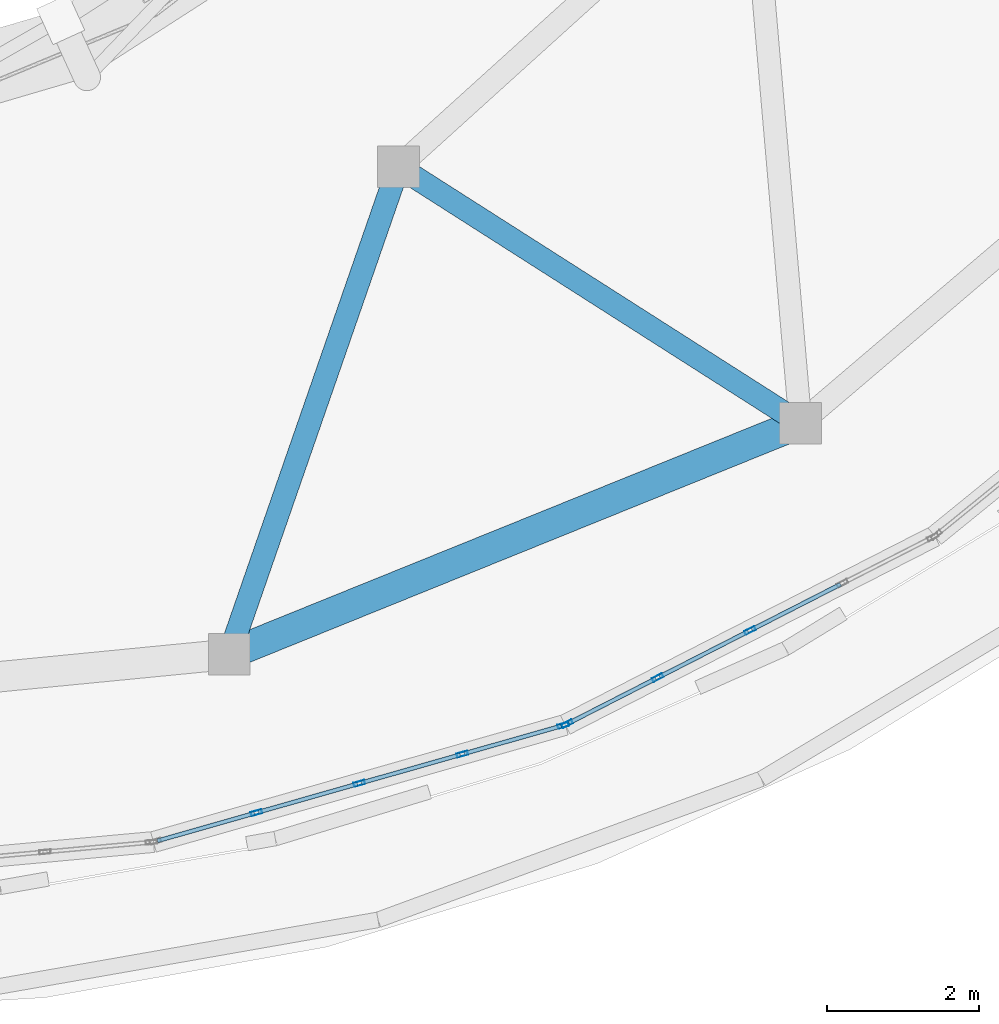
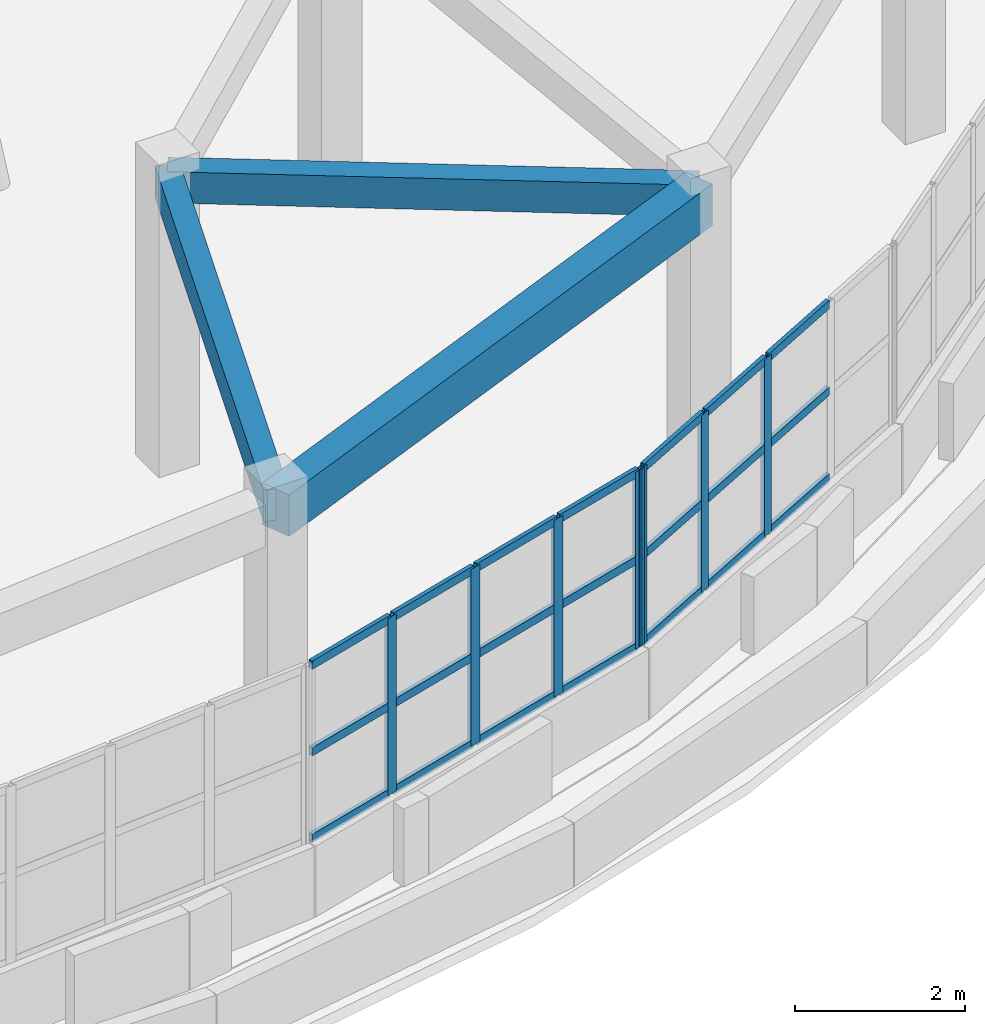
# One storey, part 8 of 46: 28 members, 3 beams, 2 elements without a shape of their own.
"""IFC4 building model written with IfcOpenShell, lengths in metres."""

from ifc_helpers import new_model, si_unit, direction, frame, origin, origin_2d, place, context, subcontext, project, spatial, rectangle, hollow_rectangle, extrude, material, layer, layer_set, material_profile, profile_set, type_object, element, aggregate, save


model = new_model("IFC4")

# Units and contexts
model_context = context("Model", 3, precision=1e-05, world=origin(), true_north=direction((0.0, 1.0)))
body_context = subcontext(model_context, "Body", "Model", "MODEL_VIEW")
ifc_project = project(units=[si_unit("LENGTHUNIT", "METRE"), si_unit("AREAUNIT", "SQUARE_METRE"), si_unit("VOLUMEUNIT", "CUBIC_METRE"), si_unit("PLANEANGLEUNIT", "RADIAN"), si_unit("MASSUNIT", "GRAM", prefix="KILO")], contexts=[model_context])

# Site, building, storey
site_placement = place(None, origin())
site = spatial("IfcSite", under=ifc_project, at=site_placement, CompositionType="ELEMENT")
building_placement = place(site_placement, origin())
building = spatial("IfcBuilding", under=site, at=building_placement, Name="Pelvatis Terrace Science Centre", CompositionType="ELEMENT")
storey_placement = place(building_placement, frame((0.0, 0.0, 19.800048828125)))
storey = spatial("IfcBuildingStorey", under=building, at=storey_placement, Name="L04", CompositionType="ELEMENT", Elevation=19.800048828125)

# Beams
ifc_material_1 = material(Name="Concrete C35/45", Category="concrete")
ifc_material_profile_1 = material_profile(ifc_material_1, rectangle(XDim=0.300048828125, YDim=0.449951171875, at=origin_2d()), Name="RC-BM 300x450")
ifc_profile_set_1 = profile_set([ifc_material_profile_1], Name="Concrete C35/45")
beam_type_1 = type_object("IfcBeamType", Name="BM-RC-300x450", PredefinedType="BEAM", material=ifc_profile_set_1)
beam_1_placement = place(storey_placement, frame((116.3046875, 66.743408203125, 4.02490234375), z_axis=(0.328071814406, 0.944652785203, 0.0), x_axis=(-0.944652785203, 0.328071814406, 0.0)))
element("IfcBeam", 1, at=beam_1_placement, inside=storey, type_object=beam_type_1, Name="Beam BM-L04-3098", PredefinedType="BEAM", context=body_context, shape_type="SweptSolid", body=[
    extrude(rectangle(XDim=0.300048828125, YDim=0.449951171875, at=origin_2d()), origin(), (0.0, 0.0, 1.0), 6.794189453125),
])
beam_2_placement = place(storey_placement, frame((123.82421875, 69.786376953125, 4.02490234375), z_axis=(-0.843044192258, 0.537844298937, 0.0), x_axis=(-0.537844298937, -0.843044192258, 0.0)))
element("IfcBeam", 2, at=beam_2_placement, inside=storey, type_object=beam_type_1, Name="Beam BM-L04-3100", PredefinedType="BEAM", context=body_context, shape_type="SweptSolid", body=[
    extrude(rectangle(XDim=0.300048828125, YDim=0.449951171875, at=origin_2d()), origin(), (0.0, 0.0, 1.0), 6.275390625),
])
ifc_material_2 = material(Name="Concrete C35/45", Category="concrete")
ifc_material_profile_2 = material_profile(ifc_material_2, rectangle(XDim=0.39990234375, YDim=0.60009765625, at=origin_2d()), Name="RC-BM 400x600")
ifc_profile_set_2 = profile_set([ifc_material_profile_2], Name="Concrete C35/45")
beam_type_2 = type_object("IfcBeamType", Name="BM-RC-400x600", PredefinedType="BEAM", material=ifc_profile_set_2)
beam_3_placement = place(storey_placement, frame((116.3046875, 66.743408203125, 3.949951171875), z_axis=(0.926974722929, 0.375123796967, 0.0), x_axis=(-0.375123796967, 0.926974722929, 0.0)))
element("IfcBeam", 3, at=beam_3_placement, inside=storey, type_object=beam_type_2, Name="Beam BM-L04-3097", PredefinedType="BEAM", context=body_context, shape_type="SweptSolid", body=[
    extrude(rectangle(XDim=0.39990234375, YDim=0.60009765625, at=origin_2d()), origin(), (0.0, 0.0, 1.0), 8.11181640625),
])

# Curtain wall, members
ifc_material_3 = material(Name="Bronze-anodised aluminium and laminated glass", Category="aluminium")
ifc_layer = layer(ifc_material_3, 0.14990234375)
ifc_layer_set = layer_set([ifc_layer], Name="Bronze-anodised aluminium and laminated glass")
curtain_wall_type = type_object("IfcCurtainWallType", Name="CW-PASSAGE-C", PredefinedType="NOTDEFINED", material=ifc_layer_set)
curtain_wall_1_placement = place(storey_placement, origin())
curtain_wall_1 = element("IfcCurtainWall", 4, at=curtain_wall_1_placement, inside=storey, type_object=curtain_wall_type, Name="Ribbon curtain wall CW-233 (L04)", PredefinedType="NOTDEFINED")
ifc_material_4 = material(Name="Bronze-anodised aluminium 6063-T6", Category="aluminium")
ifc_material_profile_3 = material_profile(ifc_material_4, hollow_rectangle(XDim=0.054931640625, YDim=0.14990234375, WallThickness=0.00390625, at=origin_2d()), Name="ALU-MUL 55x150")
ifc_profile_set_3 = profile_set([ifc_material_profile_3], Name="Bronze-anodised aluminium 6063-T6")
member_type_1 = type_object("IfcMemberType", Name="CWM-55x150", PredefinedType="MULLION", material=ifc_profile_set_3)
member_1_placement = place(storey_placement, frame((116.6630859375, 64.658203125, 1.02001953125), z_axis=(0.0, 0.0, 1.0), x_axis=(-0.273577429116, 0.96184998325, 0.0)))
member_1 = element("IfcMember", 5, at=member_1_placement, type_object=member_type_1, Name="CW-233 mullion 2", PredefinedType="MULLION", context=body_context, shape_type="SweptSolid", body=[
    extrude(hollow_rectangle(XDim=0.054931640625, YDim=0.14990234375, WallThickness=0.00390625, at=origin_2d()), origin(), (0.0, 0.0, 1.0), 2.550048828125),
])
member_2_placement = place(storey_placement, frame((118.018310546875, 65.043701171875, 1.02001953125), z_axis=(0.0, 0.0, 1.0), x_axis=(-0.273577429116, 0.96184998325, 0.0)))
member_2 = element("IfcMember", 6, at=member_2_placement, type_object=member_type_1, Name="CW-233 mullion 3", PredefinedType="MULLION", context=body_context, shape_type="SweptSolid", body=[
    extrude(hollow_rectangle(XDim=0.054931640625, YDim=0.14990234375, WallThickness=0.00390625, at=origin_2d()), origin(), (0.0, 0.0, 1.0), 2.550048828125),
])
member_3_placement = place(storey_placement, frame((119.373779296875, 65.42919921875, 1.02001953125), z_axis=(0.0, 0.0, 1.0), x_axis=(-0.273577429116, 0.96184998325, 0.0)))
member_3 = element("IfcMember", 7, at=member_3_placement, type_object=member_type_1, Name="CW-233 mullion 4", PredefinedType="MULLION", context=body_context, shape_type="SweptSolid", body=[
    extrude(hollow_rectangle(XDim=0.054931640625, YDim=0.14990234375, WallThickness=0.00390625, at=origin_2d()), origin(), (0.0, 0.0, 1.0), 2.550048828125),
])
member_4_placement = place(storey_placement, frame((120.70263671875, 65.807373046875, 1.02001953125), z_axis=(0.0, 0.0, 1.0), x_axis=(-0.273577429116, 0.96184998325, 0.0)))
member_4 = element("IfcMember", 8, at=member_4_placement, type_object=member_type_1, Name="CW-233 mullion 5", PredefinedType="MULLION", context=body_context, shape_type="SweptSolid", body=[
    extrude(hollow_rectangle(XDim=0.054931640625, YDim=0.14990234375, WallThickness=0.00390625, at=origin_2d()), origin(), (0.0, 0.0, 1.0), 2.550048828125),
])

curtain_wall_2_placement = place(storey_placement, origin())
curtain_wall_2 = element("IfcCurtainWall", 9, at=curtain_wall_2_placement, inside=storey, type_object=curtain_wall_type, Name="Ribbon curtain wall CW-234 (L04)", PredefinedType="NOTDEFINED")
member_5_placement = place(storey_placement, frame((120.753662109375, 65.827392578125, 1.02001953125), z_axis=(0.0, 0.0, 1.0), x_axis=(-0.454858737992, 0.890563601587, 0.0)))
member_5 = element("IfcMember", 10, at=member_5_placement, type_object=member_type_1, Name="CW-234 mullion 1", PredefinedType="MULLION", context=body_context, shape_type="SweptSolid", body=[
    extrude(hollow_rectangle(XDim=0.054931640625, YDim=0.14990234375, WallThickness=0.00390625, at=origin_2d()), origin(), (0.0, 0.0, 1.0), 2.550048828125),
])
member_6_placement = place(storey_placement, frame((121.945068359375, 66.435791015625, 1.02001953125), z_axis=(0.0, 0.0, 1.0), x_axis=(-0.454858737992, 0.890563601587, 0.0)))
member_6 = element("IfcMember", 11, at=member_6_placement, type_object=member_type_1, Name="CW-234 mullion 2", PredefinedType="MULLION", context=body_context, shape_type="SweptSolid", body=[
    extrude(hollow_rectangle(XDim=0.054931640625, YDim=0.14990234375, WallThickness=0.00390625, at=origin_2d()), origin(), (0.0, 0.0, 1.0), 2.550048828125),
])
member_7_placement = place(storey_placement, frame((123.160888671875, 67.056884765625, 1.02001953125), z_axis=(0.0, 0.0, 1.0), x_axis=(-0.454858737992, 0.890563601587, 0.0)))
member_7 = element("IfcMember", 12, at=member_7_placement, type_object=member_type_1, Name="CW-234 mullion 3", PredefinedType="MULLION", context=body_context, shape_type="SweptSolid", body=[
    extrude(hollow_rectangle(XDim=0.054931640625, YDim=0.14990234375, WallThickness=0.00390625, at=origin_2d()), origin(), (0.0, 0.0, 1.0), 2.550048828125),
])

# Member
ifc_material_5 = material(Name="Bronze-anodised aluminium 6063-T6", Category="aluminium")
ifc_material_profile_4 = material_profile(ifc_material_5, hollow_rectangle(XDim=0.054931640625, YDim=0.1201171875, WallThickness=0.00341796875, at=origin_2d()), Name="ALU-TRN 55x120")
ifc_profile_set_4 = profile_set([ifc_material_profile_4], Name="Bronze-anodised aluminium 6063-T6")
member_type_2 = type_object("IfcMemberType", Name="CWT-55x120", PredefinedType="USERDEFINED", material=ifc_profile_set_4)
member_8_placement = place(storey_placement, frame((115.360595703125, 64.287841796875, 1.04736328125), z_axis=(0.961835800518, 0.27362728819, 0.0), x_axis=(-0.27362728819, 0.961835800518, 0.0)))
member_8 = element("IfcMember", 13, at=member_8_placement, type_object=member_type_2, Name="CW-233 transom 1.1", ObjectType="TRANSOM", PredefinedType="USERDEFINED", context=body_context, shape_type="SweptSolid", body=[
    extrude(hollow_rectangle(XDim=0.054931640625, YDim=0.1201171875, WallThickness=0.00341796875, at=origin_2d()), origin(), (0.0, 0.0, 1.0), 1.32666015625),
])

member_9_placement = place(storey_placement, frame((115.360595703125, 64.287841796875, 2.294921875), z_axis=(0.961835800518, 0.27362728819, 0.0), x_axis=(-0.27362728819, 0.961835800518, 0.0)))
member_9 = element("IfcMember", 14, at=member_9_placement, type_object=member_type_2, Name="CW-233 transom 1.2", ObjectType="TRANSOM", PredefinedType="USERDEFINED", context=body_context, shape_type="SweptSolid", body=[
    extrude(hollow_rectangle(XDim=0.054931640625, YDim=0.1201171875, WallThickness=0.00341796875, at=origin_2d()), origin(), (0.0, 0.0, 1.0), 1.32666015625),
])

member_10_placement = place(storey_placement, frame((115.360595703125, 64.287841796875, 3.54248046875), z_axis=(0.961835800518, 0.27362728819, 0.0), x_axis=(-0.27362728819, 0.961835800518, 0.0)))
member_10 = element("IfcMember", 15, at=member_10_placement, type_object=member_type_2, Name="CW-233 transom 1.3", ObjectType="TRANSOM", PredefinedType="USERDEFINED", context=body_context, shape_type="SweptSolid", body=[
    extrude(hollow_rectangle(XDim=0.054931640625, YDim=0.1201171875, WallThickness=0.00341796875, at=origin_2d()), origin(), (0.0, 0.0, 1.0), 1.32666015625),
])

member_11_placement = place(storey_placement, frame((116.689453125, 64.665771484375, 1.04736328125), z_axis=(0.961822718675, 0.273673268407, 0.0), x_axis=(-0.273673268407, 0.961822718675, 0.0)))
member_11 = element("IfcMember", 16, at=member_11_placement, type_object=member_type_2, Name="CW-233 transom 2.1", ObjectType="TRANSOM", PredefinedType="USERDEFINED", context=body_context, shape_type="SweptSolid", body=[
    extrude(hollow_rectangle(XDim=0.054931640625, YDim=0.1201171875, WallThickness=0.00341796875, at=origin_2d()), origin(), (0.0, 0.0, 1.0), 1.354248046875),
])

member_12_placement = place(storey_placement, frame((116.689453125, 64.665771484375, 2.294921875), z_axis=(0.961822718675, 0.273673268407, 0.0), x_axis=(-0.273673268407, 0.961822718675, 0.0)))
member_12 = element("IfcMember", 17, at=member_12_placement, type_object=member_type_2, Name="CW-233 transom 2.2", ObjectType="TRANSOM", PredefinedType="USERDEFINED", context=body_context, shape_type="SweptSolid", body=[
    extrude(hollow_rectangle(XDim=0.054931640625, YDim=0.1201171875, WallThickness=0.00341796875, at=origin_2d()), origin(), (0.0, 0.0, 1.0), 1.354248046875),
])

member_13_placement = place(storey_placement, frame((116.689453125, 64.665771484375, 3.54248046875), z_axis=(0.961822718675, 0.273673268407, 0.0), x_axis=(-0.273673268407, 0.961822718675, 0.0)))
member_13 = element("IfcMember", 18, at=member_13_placement, type_object=member_type_2, Name="CW-233 transom 2.3", ObjectType="TRANSOM", PredefinedType="USERDEFINED", context=body_context, shape_type="SweptSolid", body=[
    extrude(hollow_rectangle(XDim=0.054931640625, YDim=0.1201171875, WallThickness=0.00341796875, at=origin_2d()), origin(), (0.0, 0.0, 1.0), 1.354248046875),
])

member_14_placement = place(storey_placement, frame((118.044921875, 65.05126953125, 1.04736328125), z_axis=(0.961822718675, 0.273673268407, 0.0), x_axis=(-0.273673268407, 0.961822718675, 0.0)))
member_14 = element("IfcMember", 19, at=member_14_placement, type_object=member_type_2, Name="CW-233 transom 3.1", ObjectType="TRANSOM", PredefinedType="USERDEFINED", context=body_context, shape_type="SweptSolid", body=[
    extrude(hollow_rectangle(XDim=0.054931640625, YDim=0.1201171875, WallThickness=0.00341796875, at=origin_2d()), origin(), (0.0, 0.0, 1.0), 1.354248046875),
])

member_15_placement = place(storey_placement, frame((118.044921875, 65.05126953125, 2.294921875), z_axis=(0.961822718675, 0.273673268407, 0.0), x_axis=(-0.273673268407, 0.961822718675, 0.0)))
member_15 = element("IfcMember", 20, at=member_15_placement, type_object=member_type_2, Name="CW-233 transom 3.2", ObjectType="TRANSOM", PredefinedType="USERDEFINED", context=body_context, shape_type="SweptSolid", body=[
    extrude(hollow_rectangle(XDim=0.054931640625, YDim=0.1201171875, WallThickness=0.00341796875, at=origin_2d()), origin(), (0.0, 0.0, 1.0), 1.354248046875),
])

member_16_placement = place(storey_placement, frame((118.044921875, 65.05126953125, 3.54248046875), z_axis=(0.961822718675, 0.273673268407, 0.0), x_axis=(-0.273673268407, 0.961822718675, 0.0)))
member_16 = element("IfcMember", 21, at=member_16_placement, type_object=member_type_2, Name="CW-233 transom 3.3", ObjectType="TRANSOM", PredefinedType="USERDEFINED", context=body_context, shape_type="SweptSolid", body=[
    extrude(hollow_rectangle(XDim=0.054931640625, YDim=0.1201171875, WallThickness=0.00341796875, at=origin_2d()), origin(), (0.0, 0.0, 1.0), 1.354248046875),
])

member_17_placement = place(storey_placement, frame((119.400146484375, 65.436767578125, 1.04736328125), z_axis=(0.961835800518, 0.27362728819, 0.0), x_axis=(-0.27362728819, 0.961835800518, 0.0)))
member_17 = element("IfcMember", 22, at=member_17_placement, type_object=member_type_2, Name="CW-233 transom 4.1", ObjectType="TRANSOM", PredefinedType="USERDEFINED", context=body_context, shape_type="SweptSolid", body=[
    extrude(hollow_rectangle(XDim=0.054931640625, YDim=0.1201171875, WallThickness=0.00341796875, at=origin_2d()), origin(), (0.0, 0.0, 1.0), 1.32666015625),
])

member_18_placement = place(storey_placement, frame((119.400146484375, 65.436767578125, 2.294921875), z_axis=(0.961835800518, 0.27362728819, 0.0), x_axis=(-0.27362728819, 0.961835800518, 0.0)))
member_18 = element("IfcMember", 23, at=member_18_placement, type_object=member_type_2, Name="CW-233 transom 4.2", ObjectType="TRANSOM", PredefinedType="USERDEFINED", context=body_context, shape_type="SweptSolid", body=[
    extrude(hollow_rectangle(XDim=0.054931640625, YDim=0.1201171875, WallThickness=0.00341796875, at=origin_2d()), origin(), (0.0, 0.0, 1.0), 1.32666015625),
])

member_19_placement = place(storey_placement, frame((119.400146484375, 65.436767578125, 3.54248046875), z_axis=(0.961835800518, 0.27362728819, 0.0), x_axis=(-0.27362728819, 0.961835800518, 0.0)))
member_19 = element("IfcMember", 24, at=member_19_placement, type_object=member_type_2, Name="CW-233 transom 4.3", ObjectType="TRANSOM", PredefinedType="USERDEFINED", context=body_context, shape_type="SweptSolid", body=[
    extrude(hollow_rectangle(XDim=0.054931640625, YDim=0.1201171875, WallThickness=0.00341796875, at=origin_2d()), origin(), (0.0, 0.0, 1.0), 1.32666015625),
])

aggregate(curtain_wall_1, [member_1, member_2, member_3, member_4, member_8, member_9, member_10, member_11, member_12, member_13, member_14, member_15, member_16, member_17, member_18, member_19])

member_20_placement = place(storey_placement, frame((120.778076171875, 65.83984375, 1.04736328125), z_axis=(0.89054949215, 0.454886361667, 0.0), x_axis=(-0.454886361667, 0.89054949215, 0.0)))
member_20 = element("IfcMember", 25, at=member_20_placement, type_object=member_type_2, Name="CW-234 transom 1.1", ObjectType="TRANSOM", PredefinedType="USERDEFINED", context=body_context, shape_type="SweptSolid", body=[
    extrude(hollow_rectangle(XDim=0.054931640625, YDim=0.1201171875, WallThickness=0.00341796875, at=origin_2d()), origin(), (0.0, 0.0, 1.0), 1.28271484375),
])

member_21_placement = place(storey_placement, frame((120.778076171875, 65.83984375, 2.294921875), z_axis=(0.89054949215, 0.454886361667, 0.0), x_axis=(-0.454886361667, 0.89054949215, 0.0)))
member_21 = element("IfcMember", 26, at=member_21_placement, type_object=member_type_2, Name="CW-234 transom 1.2", ObjectType="TRANSOM", PredefinedType="USERDEFINED", context=body_context, shape_type="SweptSolid", body=[
    extrude(hollow_rectangle(XDim=0.054931640625, YDim=0.1201171875, WallThickness=0.00341796875, at=origin_2d()), origin(), (0.0, 0.0, 1.0), 1.28271484375),
])

member_22_placement = place(storey_placement, frame((120.778076171875, 65.83984375, 3.54248046875), z_axis=(0.89054949215, 0.454886361667, 0.0), x_axis=(-0.454886361667, 0.89054949215, 0.0)))
member_22 = element("IfcMember", 27, at=member_22_placement, type_object=member_type_2, Name="CW-234 transom 1.3", ObjectType="TRANSOM", PredefinedType="USERDEFINED", context=body_context, shape_type="SweptSolid", body=[
    extrude(hollow_rectangle(XDim=0.054931640625, YDim=0.1201171875, WallThickness=0.00341796875, at=origin_2d()), origin(), (0.0, 0.0, 1.0), 1.28271484375),
])

member_23_placement = place(storey_placement, frame((121.969482421875, 66.4482421875, 1.04736328125), z_axis=(0.890555477647, 0.454874643427, 0.0), x_axis=(-0.454874643427, 0.890555477647, 0.0)))
member_23 = element("IfcMember", 28, at=member_23_placement, type_object=member_type_2, Name="CW-234 transom 2.1", ObjectType="TRANSOM", PredefinedType="USERDEFINED", context=body_context, shape_type="SweptSolid", body=[
    extrude(hollow_rectangle(XDim=0.054931640625, YDim=0.1201171875, WallThickness=0.00341796875, at=origin_2d()), origin(), (0.0, 0.0, 1.0), 1.31005859375),
])

member_24_placement = place(storey_placement, frame((121.969482421875, 66.4482421875, 2.294921875), z_axis=(0.890555477647, 0.454874643427, 0.0), x_axis=(-0.454874643427, 0.890555477647, 0.0)))
member_24 = element("IfcMember", 29, at=member_24_placement, type_object=member_type_2, Name="CW-234 transom 2.2", ObjectType="TRANSOM", PredefinedType="USERDEFINED", context=body_context, shape_type="SweptSolid", body=[
    extrude(hollow_rectangle(XDim=0.054931640625, YDim=0.1201171875, WallThickness=0.00341796875, at=origin_2d()), origin(), (0.0, 0.0, 1.0), 1.31005859375),
])

member_25_placement = place(storey_placement, frame((121.969482421875, 66.4482421875, 3.54248046875), z_axis=(0.890555477647, 0.454874643427, 0.0), x_axis=(-0.454874643427, 0.890555477647, 0.0)))
member_25 = element("IfcMember", 30, at=member_25_placement, type_object=member_type_2, Name="CW-234 transom 2.3", ObjectType="TRANSOM", PredefinedType="USERDEFINED", context=body_context, shape_type="SweptSolid", body=[
    extrude(hollow_rectangle(XDim=0.054931640625, YDim=0.1201171875, WallThickness=0.00341796875, at=origin_2d()), origin(), (0.0, 0.0, 1.0), 1.31005859375),
])

member_26_placement = place(storey_placement, frame((123.185302734375, 67.0693359375, 1.04736328125), z_axis=(0.890555477647, 0.454874643427, 0.0), x_axis=(-0.454874643427, 0.890555477647, 0.0)))
member_26 = element("IfcMember", 31, at=member_26_placement, type_object=member_type_2, Name="CW-234 transom 3.1", ObjectType="TRANSOM", PredefinedType="USERDEFINED", context=body_context, shape_type="SweptSolid", body=[
    extrude(hollow_rectangle(XDim=0.054931640625, YDim=0.1201171875, WallThickness=0.00341796875, at=origin_2d()), origin(), (0.0, 0.0, 1.0), 1.31005859375),
])

member_27_placement = place(storey_placement, frame((123.185302734375, 67.0693359375, 2.294921875), z_axis=(0.890555477647, 0.454874643427, 0.0), x_axis=(-0.454874643427, 0.890555477647, 0.0)))
member_27 = element("IfcMember", 32, at=member_27_placement, type_object=member_type_2, Name="CW-234 transom 3.2", ObjectType="TRANSOM", PredefinedType="USERDEFINED", context=body_context, shape_type="SweptSolid", body=[
    extrude(hollow_rectangle(XDim=0.054931640625, YDim=0.1201171875, WallThickness=0.00341796875, at=origin_2d()), origin(), (0.0, 0.0, 1.0), 1.31005859375),
])

member_28_placement = place(storey_placement, frame((123.185302734375, 67.0693359375, 3.54248046875), z_axis=(0.890555477647, 0.454874643427, 0.0), x_axis=(-0.454874643427, 0.890555477647, 0.0)))
member_28 = element("IfcMember", 33, at=member_28_placement, type_object=member_type_2, Name="CW-234 transom 3.3", ObjectType="TRANSOM", PredefinedType="USERDEFINED", context=body_context, shape_type="SweptSolid", body=[
    extrude(hollow_rectangle(XDim=0.054931640625, YDim=0.1201171875, WallThickness=0.00341796875, at=origin_2d()), origin(), (0.0, 0.0, 1.0), 1.31005859375),
])

aggregate(curtain_wall_2, [member_5, member_6, member_7, member_20, member_21, member_22, member_23, member_24, member_25, member_26, member_27, member_28])

save(model, "model.ifc")
